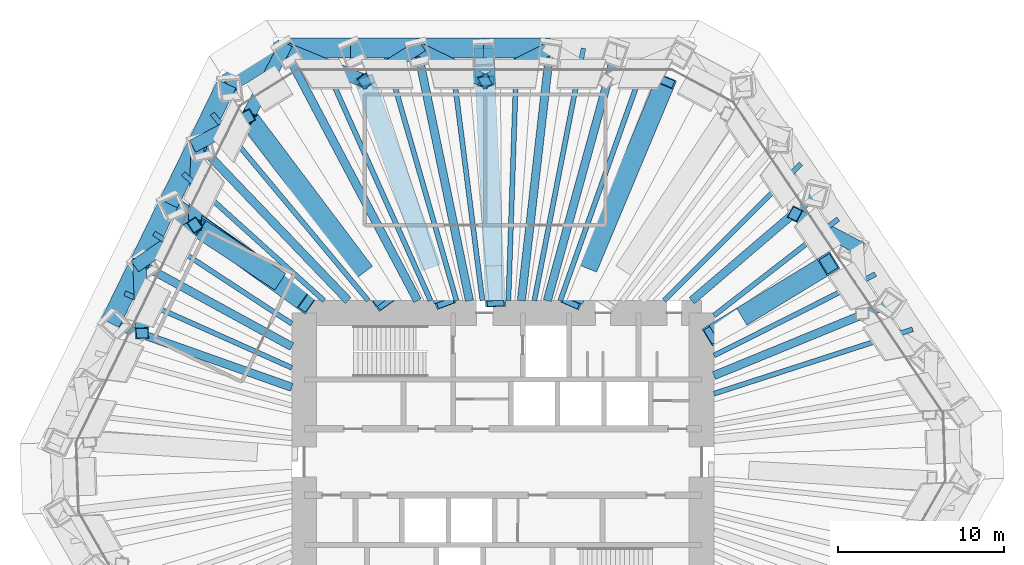
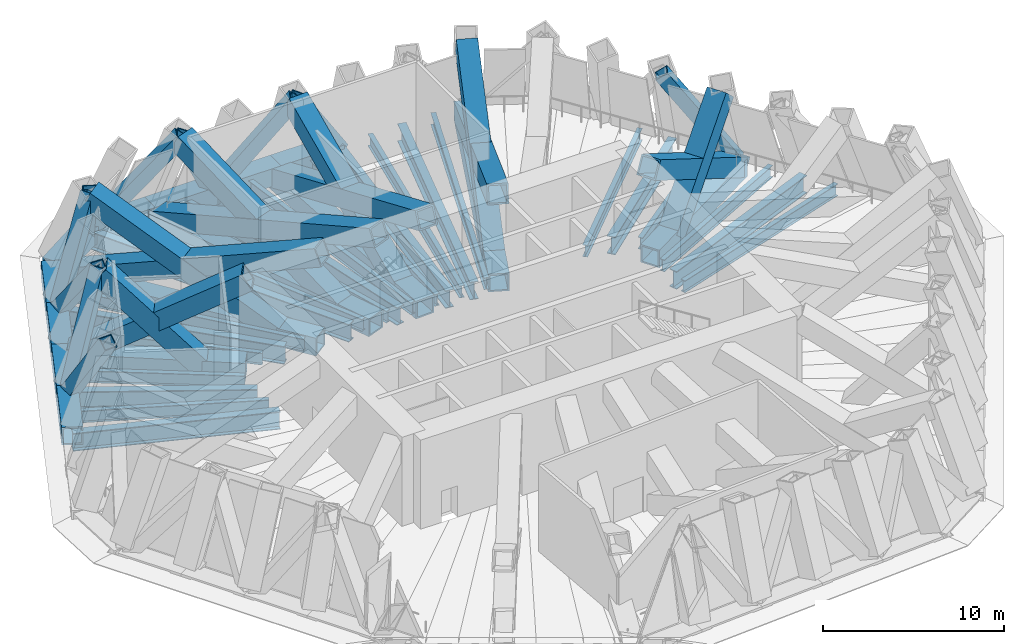
# One storey, part 4 of 12: 31 members, 29 beams.
"""IFC4 building model written with IfcOpenShell, lengths in metres."""

from ifc_helpers import new_model, si_unit, direction, frame, origin, origin_2d, place, context, subcontext, project, spatial, hollow_rectangle, i_section, extrude, material, material_profile, profile_set, type_object, element, save


model = new_model("IFC4")

# Units and contexts
model_context = context("Model", 3, precision=1e-05, world=origin(), true_north=direction((0.0, 1.0)))
body_context = subcontext(model_context, "Body", "Model", "MODEL_VIEW")
ifc_project = project(units=[si_unit("LENGTHUNIT", "METRE"), si_unit("AREAUNIT", "SQUARE_METRE"), si_unit("VOLUMEUNIT", "CUBIC_METRE"), si_unit("PLANEANGLEUNIT", "RADIAN"), si_unit("MASSUNIT", "GRAM", prefix="KILO")], contexts=[model_context])

# Site, building, storey
site_placement = place(None, origin())
site = spatial("IfcSite", under=ifc_project, at=site_placement, CompositionType="ELEMENT")
building_placement = place(site_placement, origin())
building = spatial("IfcBuilding", under=site, at=building_placement, Name="Qingtian Harvest Tower", CompositionType="ELEMENT")
storey_placement = place(building_placement, frame((0.0, 0.0, 174.39990234375)))
storey = spatial("IfcBuildingStorey", under=building, at=storey_placement, Name="L37", CompositionType="ELEMENT", Elevation=174.39990234375)

# Members
ifc_material_1 = material(Name="Steel SM570MC", Category="steel")
ifc_material_profile_1 = material_profile(ifc_material_1, hollow_rectangle(XDim=1.199951171875, YDim=1.199951171875, WallThickness=0.10009765625, at=origin_2d()), Name="BOX1200x1200x100")
ifc_profile_set_1 = profile_set([ifc_material_profile_1], Name="Steel SM570MC")
member_type_1 = type_object("IfcMemberType", Name="Belt truss chord BC2 BOX1200x1200x100", PredefinedType="CHORD", material=ifc_profile_set_1)
for number, where, z_axis, x_axis, name in (
    (1, (-13.2216796875, 25.0, -0.599853515625), (1.0, 0.0, 0.0), (0.0, 1.0, 0.0), "Belt chord BC2 N0"),
    (2, (-9.20263671875, 25.0, -0.599853515625), (1.0, 0.0, 0.0), (0.0, 1.0, 0.0), "Belt chord BC2 N1"),
    (3, (-5.18359375, 25.0, -0.599853515625), (1.0, 0.0, 0.0), (0.0, 1.0, 0.0), "Belt chord BC2 N2"),
    (4, (-1.16455078125, 25.0, -0.599853515625), (1.0, 0.0, 0.0), (0.0, 1.0, 0.0), "Belt chord BC2 N3"),
    (5, (-23.72119140625, 8.3935546875, -0.599853515625), (0.438347033158, 0.898805806902, 0.0), (-0.898805806902, 0.438347033158, 0.0), "Belt chord BC2 NW2"),
    (6, (-21.95947265625, 12.005859375, -0.599853515625), (0.438396105405, 0.89878187274, 0.0), (-0.89878187274, 0.438396105405, 0.0), "Belt chord BC2 NW3"),
    (7, (-20.197509765625, 15.6181640625, -0.599853515625), (0.438347033158, 0.898805806902, 0.0), (-0.898805806902, 0.438347033158, 0.0), "Belt chord BC2 NW4"),
    (8, (-18.435791015625, 19.23046875, -0.599853515625), (0.438396105405, 0.89878187274, 0.0), (-0.89878187274, 0.438396105405, 0.0), "Belt chord BC2 NW5"),
):
    element("IfcMember", number, at=place(storey_placement, frame(where, z_axis=z_axis, x_axis=x_axis)), inside=storey, type_object=member_type_1, Name=name, PredefinedType="CHORD", context=body_context, shape_type="SweptSolid", body=[
        extrude(hollow_rectangle(XDim=1.199951171875, YDim=1.199951171875, WallThickness=0.10009765625, at=origin_2d()), origin(), (0.0, 0.0, 1.0), 4.01904296875),
    ])
member_1_placement = place(storey_placement, frame((-16.673828125, 22.8427734375, -0.599853515625), z_axis=(0.848038733752, 0.529934246919, 0.0), x_axis=(-0.529934246919, 0.848038733752, 0.0)))
element("IfcMember", 9, at=member_1_placement, inside=storey, type_object=member_type_1, Name="Belt chord BC2 NWC", PredefinedType="CHORD", context=body_context, shape_type="SweptSolid", body=[
    extrude(hollow_rectangle(XDim=1.199951171875, YDim=1.199951171875, WallThickness=0.10009765625, at=origin_2d()), origin(), (0.0, 0.0, 1.0), 4.07080078125),
])
ifc_material_2 = material(Name="Steel SM570MC", Category="steel")
ifc_material_profile_2 = material_profile(ifc_material_2, hollow_rectangle(XDim=0.800048828125, YDim=0.800048828125, WallThickness=0.050048828125, at=origin_2d()), Name="BOX800x800x50")
ifc_profile_set_2 = profile_set([ifc_material_profile_2], Name="Steel SM570MC")
member_type_2 = type_object("IfcMemberType", Name="Belt truss diagonal BD2 BOX800x800x50", PredefinedType="BRACE", material=ifc_profile_set_2)
member_2_placement = place(storey_placement, frame((-13.2216796875, 25.0, -0.599853515625), z_axis=(0.611145329769, -0.250300097064, 0.750900291191), x_axis=(0.379003918922, 0.925395066683, 0.0)))
element("IfcMember", 10, at=member_2_placement, inside=storey, type_object=member_type_2, Name="Belt truss diagonal BD2 L37 N0", PredefinedType="BRACE", context=body_context, shape_type="SweptSolid", body=[
    extrude(hollow_rectangle(XDim=0.800048828125, YDim=0.800048828125, WallThickness=0.050048828125, at=origin_2d()), origin(), (0.0, 0.0, 1.0), 7.990478515625),
])
member_3_placement = place(storey_placement, frame((-8.33837890625, 23.0, 5.400146484375), z_axis=(0.446365312916, 0.282976678796, -0.848930036389), x_axis=(-0.535428326995, 0.84458066912, 0.0)))
element("IfcMember", 11, at=member_3_placement, inside=storey, type_object=member_type_2, Name="Belt truss diagonal BD2 L37 N1", PredefinedType="BRACE", context=body_context, shape_type="SweptSolid", body=[
    extrude(hollow_rectangle(XDim=0.800048828125, YDim=0.800048828125, WallThickness=0.050048828125, at=origin_2d()), origin(), (0.0, 0.0, 1.0), 7.067626953125),
])
member_4_placement = place(storey_placement, frame((-5.18359375, 25.0, -0.599853515625), z_axis=(0.545113560916, -0.265113410771, 0.795340232313), x_axis=(0.437363037484, 0.899285034593, 0.0)))
element("IfcMember", 12, at=member_4_placement, inside=storey, type_object=member_type_2, Name="Belt truss diagonal BD2 L37 N2", PredefinedType="BRACE", context=body_context, shape_type="SweptSolid", body=[
    extrude(hollow_rectangle(XDim=0.800048828125, YDim=0.800048828125, WallThickness=0.050048828125, at=origin_2d()), origin(), (0.0, 0.0, 1.0), 7.5439453125),
])
member_5_placement = place(storey_placement, frame((-1.0712890625, 23.0, 5.400146484375), z_axis=(0.527381790516, 0.268676096263, -0.806028288789), x_axis=(-0.453939062823, 0.891032730736, 0.0)))
element("IfcMember", 13, at=member_5_placement, inside=storey, type_object=member_type_2, Name="Belt truss diagonal BD2 L37 N3", PredefinedType="BRACE", context=body_context, shape_type="SweptSolid", body=[
    extrude(hollow_rectangle(XDim=0.800048828125, YDim=0.800048828125, WallThickness=0.050048828125, at=origin_2d()), origin(), (0.0, 0.0, 1.0), 7.44384765625),
])
member_6_placement = place(storey_placement, frame((17.635009765625, 14.985595703125, 5.400146484375), z_axis=(0.509768755604, -0.268519893838, -0.817332785604), x_axis=(0.466046159023, 0.884760406924, 0.0)))
element("IfcMember", 14, at=member_6_placement, inside=storey, type_object=member_type_2, Name="Belt truss diagonal BD2 L37 NE2", PredefinedType="BRACE", context=body_context, shape_type="SweptSolid", body=[
    extrude(hollow_rectangle(XDim=0.800048828125, YDim=0.800048828125, WallThickness=0.050048828125, at=origin_2d()), origin(), (0.0, 0.0, 1.0), 7.341064453125),
])
member_7_placement = place(storey_placement, frame((-21.79541015625, 7.779541015625, 5.400146484375), z_axis=(-0.022349125724, 0.575722790777, -0.817339455036), x_axis=(-0.999247383498, -0.038790031871, 0.0)))
element("IfcMember", 15, at=member_7_placement, inside=storey, type_object=member_type_2, Name="Belt truss diagonal BD2 L37 NW2", PredefinedType="BRACE", context=body_context, shape_type="SweptSolid", body=[
    extrude(hollow_rectangle(XDim=0.800048828125, YDim=0.800048828125, WallThickness=0.050048828125, at=origin_2d()), origin(), (0.0, 0.0, 1.0), 7.3408203125),
])
member_8_placement = place(storey_placement, frame((-21.95947265625, 12.005859375, -0.599853515625), z_axis=(0.462136679951, 0.318072643497, 0.827804012133), x_axis=(-0.566956829377, 0.823747505989, 0.0)))
element("IfcMember", 16, at=member_8_placement, inside=storey, type_object=member_type_2, Name="Belt truss diagonal BD2 L37 NW3", PredefinedType="BRACE", context=body_context, shape_type="SweptSolid", body=[
    extrude(hollow_rectangle(XDim=0.800048828125, YDim=0.800048828125, WallThickness=0.050048828125, at=origin_2d()), origin(), (0.0, 0.0, 1.0), 7.248046875),
])
member_9_placement = place(storey_placement, frame((-18.60986328125, 14.311279296875, 5.400146484375), z_axis=(0.02242992097, 0.633857612391, -0.773124456902), x_axis=(-0.999374489739, 0.035364236994, 0.0)))
element("IfcMember", 17, at=member_9_placement, inside=storey, type_object=member_type_2, Name="Belt truss diagonal BD2 L37 NW4", PredefinedType="BRACE", context=body_context, shape_type="SweptSolid", body=[
    extrude(hollow_rectangle(XDim=0.800048828125, YDim=0.800048828125, WallThickness=0.050048828125, at=origin_2d()), origin(), (0.0, 0.0, 1.0), 7.7607421875),
])
member_10_placement = place(storey_placement, frame((-18.435791015625, 19.23046875, -0.599853515625), z_axis=(0.436206311407, 0.233520304842, 0.869018021168), x_axis=(-0.471967540167, 0.881615926029, 0.0)))
element("IfcMember", 18, at=member_10_placement, inside=storey, type_object=member_type_2, Name="Belt truss diagonal BD2 L37 NW5", PredefinedType="BRACE", context=body_context, shape_type="SweptSolid", body=[
    extrude(hollow_rectangle(XDim=0.800048828125, YDim=0.800048828125, WallThickness=0.050048828125, at=origin_2d()), origin(), (0.0, 0.0, 1.0), 6.904296875),
])
member_11_placement = place(storey_placement, frame((-15.424072265625, 20.8427734375, 5.400146484375), z_axis=(0.288857149608, 0.545245487587, -0.786936404918), x_axis=(-0.88365534016, 0.468138056353, 0.0)))
element("IfcMember", 19, at=member_11_placement, inside=storey, type_object=member_type_2, Name="Belt truss diagonal BD2 L37 NW6", PredefinedType="BRACE", context=body_context, shape_type="SweptSolid", body=[
    extrude(hollow_rectangle(XDim=0.800048828125, YDim=0.800048828125, WallThickness=0.050048828125, at=origin_2d()), origin(), (0.0, 0.0, 1.0), 7.62451171875),
])

# Beams
ifc_material_3 = material(Name="Steel SN490B", Category="steel")
ifc_material_profile_3 = material_profile(ifc_material_3, i_section(OverallWidth=0.300048828125, OverallDepth=0.800048828125, WebThickness=0.013916015625, FlangeThickness=0.02587890625, at=origin_2d()), Name="H800x300x14x26")
ifc_profile_set_3 = profile_set([ifc_material_profile_3], Name="Steel SN490B")
beam_type_1 = type_object("IfcBeamType", Name="Floor joist J1 H800x300x14x26", PredefinedType="JOIST", material=ifc_profile_set_3)
beam_1_placement = place(storey_placement, frame((-11.212158203125, 25.0, -0.679931640625), z_axis=(0.409212761683, -0.912438992852, 0.0), x_axis=(0.912438992852, 0.409212761683, 0.0)))
element("IfcBeam", 20, at=beam_1_placement, inside=storey, type_object=beam_type_1, Name="Floor joist J1 N0", PredefinedType="JOIST", context=body_context, shape_type="SweptSolid", body=[
    extrude(i_section(OverallWidth=0.300048828125, OverallDepth=0.800048828125, WebThickness=0.013916015625, FlangeThickness=0.02587890625, at=origin_2d()), origin(), (0.0, 0.0, 1.0), 16.71337890625),
])
beam_2_placement = place(storey_placement, frame((-7.193115234375, 25.0, -0.679931640625), z_axis=(0.276500682027, -0.961013721462, 0.0), x_axis=(0.961013721462, 0.276500682027, 0.0)))
element("IfcBeam", 21, at=beam_2_placement, inside=storey, type_object=beam_type_1, Name="Floor joist J1 N1", PredefinedType="JOIST", context=body_context, shape_type="SweptSolid", body=[
    extrude(i_section(OverallWidth=0.300048828125, OverallDepth=0.800048828125, WebThickness=0.013916015625, FlangeThickness=0.02587890625, at=origin_2d()), origin(), (0.0, 0.0, 1.0), 15.86865234375),
])
beam_3_placement = place(storey_placement, frame((-3.174072265625, 25.0, -0.679931640625), z_axis=(0.125957899702, -0.992035587821, 0.0), x_axis=(0.992035587821, 0.125957899702, 0.0)))
element("IfcBeam", 22, at=beam_3_placement, inside=storey, type_object=beam_type_1, Name="Floor joist J1 N2", PredefinedType="JOIST", context=body_context, shape_type="SweptSolid", body=[
    extrude(i_section(OverallWidth=0.300048828125, OverallDepth=0.800048828125, WebThickness=0.013916015625, FlangeThickness=0.02587890625, at=origin_2d()), origin(), (0.0, 0.0, 1.0), 15.372314453125),
])
beam_4_placement = place(storey_placement, frame((0.844970703125, 25.0, -0.679931640625), z_axis=(-0.033776183237, -0.999429421943, 0.0), x_axis=(0.999429421943, -0.033776183237, 0.0)))
element("IfcBeam", 23, at=beam_4_placement, inside=storey, type_object=beam_type_1, Name="Floor joist J1 N3", PredefinedType="JOIST", context=body_context, shape_type="SweptSolid", body=[
    extrude(i_section(OverallWidth=0.300048828125, OverallDepth=0.800048828125, WebThickness=0.013916015625, FlangeThickness=0.02587890625, at=origin_2d()), origin(), (0.0, 0.0, 1.0), 15.2587890625),
])
beam_5_placement = place(storey_placement, frame((4.864013671875, 25.0, -0.679931640625), z_axis=(-0.190979017217, -0.981594119269, 0.0), x_axis=(0.981594119269, -0.190979017217, 0.0)))
element("IfcBeam", 24, at=beam_5_placement, inside=storey, type_object=beam_type_1, Name="Floor joist J1 N4", PredefinedType="JOIST", context=body_context, shape_type="SweptSolid", body=[
    extrude(i_section(OverallWidth=0.300048828125, OverallDepth=0.800048828125, WebThickness=0.013916015625, FlangeThickness=0.02587890625, at=origin_2d()), origin(), (0.0, 0.0, 1.0), 15.535888671875),
])
beam_6_placement = place(storey_placement, frame((8.88330078125, 25.0, -0.679931640625), z_axis=(-0.334829909573, -0.94227858495, 0.0), x_axis=(0.94227858495, -0.334829909573, 0.0)))
element("IfcBeam", 25, at=beam_6_placement, inside=storey, type_object=beam_type_1, Name="Floor joist J1 N5", PredefinedType="JOIST", context=body_context, shape_type="SweptSolid", body=[
    extrude(i_section(OverallWidth=0.300048828125, OverallDepth=0.800048828125, WebThickness=0.013916015625, FlangeThickness=0.02587890625, at=origin_2d()), origin(), (0.0, 0.0, 1.0), 16.18408203125),
])
beam_7_placement = place(storey_placement, frame((18.005859375, 18.012451171875, -0.679931640625), z_axis=(-0.706970932755, -0.707242603524, 0.0), x_axis=(0.707242603524, -0.706970932755, 0.0)))
element("IfcBeam", 26, at=beam_7_placement, inside=storey, type_object=beam_type_1, Name="Floor joist J1 NE1", PredefinedType="JOIST", context=body_context, shape_type="SweptSolid", body=[
    extrude(i_section(OverallWidth=0.300048828125, OverallDepth=0.800048828125, WebThickness=0.013916015625, FlangeThickness=0.02587890625, at=origin_2d()), origin(), (0.0, 0.0, 1.0), 11.6826171875),
])
beam_8_placement = place(storey_placement, frame((20.25341796875, 14.680419921875, -0.679931640625), z_axis=(-0.789641272199, -0.61356879096, 0.0), x_axis=(0.61356879096, -0.789641272199, 0.0)))
element("IfcBeam", 27, at=beam_8_placement, inside=storey, type_object=beam_type_1, Name="Floor joist J1 NE2", PredefinedType="JOIST", context=body_context, shape_type="SweptSolid", body=[
    extrude(i_section(OverallWidth=0.300048828125, OverallDepth=0.800048828125, WebThickness=0.013916015625, FlangeThickness=0.02587890625, at=origin_2d()), origin(), (0.0, 0.0, 1.0), 9.502197265625),
])
beam_9_placement = place(storey_placement, frame((22.500732421875, 11.348388671875, -0.679931640625), z_axis=(-0.892861323685, -0.450331718478, 0.0), x_axis=(0.450331718478, -0.892861323685, 0.0)))
element("IfcBeam", 28, at=beam_9_placement, inside=storey, type_object=beam_type_1, Name="Floor joist J1 NE3", PredefinedType="JOIST", context=body_context, shape_type="SweptSolid", body=[
    extrude(i_section(OverallWidth=0.300048828125, OverallDepth=0.800048828125, WebThickness=0.013916015625, FlangeThickness=0.02587890625, at=origin_2d()), origin(), (0.0, 0.0, 1.0), 10.920654296875),
])
beam_10_placement = place(storey_placement, frame((24.748291015625, 8.016357421875, -0.679931640625), z_axis=(-0.951335907519, -0.308155790249, 0.0), x_axis=(0.308155790249, -0.951335907519, 0.0)))
element("IfcBeam", 29, at=beam_10_placement, inside=storey, type_object=beam_type_1, Name="Floor joist J1 NE4", PredefinedType="JOIST", context=body_context, shape_type="SweptSolid", body=[
    extrude(i_section(OverallWidth=0.300048828125, OverallDepth=0.800048828125, WebThickness=0.013916015625, FlangeThickness=0.02587890625, at=origin_2d()), origin(), (0.0, 0.0, 1.0), 12.612060546875),
])
beam_11_placement = place(storey_placement, frame((-22.84033203125, 10.19970703125, -0.679931640625), z_axis=(0.913095877166, -0.407744919162, 0.0), x_axis=(0.407744919162, 0.913095877166, 0.0)))
element("IfcBeam", 30, at=beam_11_placement, inside=storey, type_object=beam_type_1, Name="Floor joist J1 NW2", PredefinedType="JOIST", context=body_context, shape_type="SweptSolid", body=[
    extrude(i_section(OverallWidth=0.300048828125, OverallDepth=0.800048828125, WebThickness=0.013916015625, FlangeThickness=0.02587890625, at=origin_2d()), origin(), (0.0, 0.0, 1.0), 11.05078125),
])
beam_12_placement = place(storey_placement, frame((-21.078369140625, 13.81201171875, -0.679931640625), z_axis=(0.836426246046, -0.548079496903, 0.0), x_axis=(0.548079496903, 0.836426246046, 0.0)))
element("IfcBeam", 31, at=beam_12_placement, inside=storey, type_object=beam_type_1, Name="Floor joist J1 NW3", PredefinedType="JOIST", context=body_context, shape_type="SweptSolid", body=[
    extrude(i_section(OverallWidth=0.300048828125, OverallDepth=0.800048828125, WebThickness=0.013916015625, FlangeThickness=0.02587890625, at=origin_2d()), origin(), (0.0, 0.0, 1.0), 9.95703125),
])
beam_13_placement = place(storey_placement, frame((-19.316650390625, 17.42431640625, -0.679931640625), z_axis=(0.742543540775, -0.669797797886, 0.0), x_axis=(0.669797797886, 0.742543540775, 0.0)))
element("IfcBeam", 32, at=beam_13_placement, inside=storey, type_object=beam_type_1, Name="Floor joist J1 NW4", PredefinedType="JOIST", context=body_context, shape_type="SweptSolid", body=[
    extrude(i_section(OverallWidth=0.300048828125, OverallDepth=0.800048828125, WebThickness=0.013916015625, FlangeThickness=0.02587890625, at=origin_2d()), origin(), (0.0, 0.0, 1.0), 11.457763671875),
])
beam_14_placement = place(storey_placement, frame((-17.5546875, 21.03662109375, -0.679931640625), z_axis=(0.640703730007, -0.767788206704, 0.0), x_axis=(0.767788206704, 0.640703730007, 0.0)))
element("IfcBeam", 33, at=beam_14_placement, inside=storey, type_object=beam_type_1, Name="Floor joist J1 NW5", PredefinedType="JOIST", context=body_context, shape_type="SweptSolid", body=[
    extrude(i_section(OverallWidth=0.300048828125, OverallDepth=0.800048828125, WebThickness=0.013916015625, FlangeThickness=0.02587890625, at=origin_2d()), origin(), (0.0, 0.0, 1.0), 14.7001953125),
])
ifc_material_4 = material(Name="Steel SM570MC", Category="steel")
ifc_material_profile_4 = material_profile(ifc_material_4, hollow_rectangle(XDim=1.199951171875, YDim=1.199951171875, WallThickness=0.10009765625, at=origin_2d()), Name="BOX1200x1200x100")
ifc_profile_set_4 = profile_set([ifc_material_profile_4], Name="Steel SM570MC")
beam_type_2 = type_object("IfcBeamType", Name="Outrigger chord beam OC2 BOX1200x1200x100", PredefinedType="BEAM", material=ifc_profile_set_4)
beam_15_placement = place(storey_placement, frame((-9.20263671875, 25.0, -0.8798828125), z_axis=(0.345440084985, -0.938440806703, 0.0), x_axis=(0.938440806703, 0.345440084985, 0.0)))
element("IfcBeam", 34, at=beam_15_placement, inside=storey, type_object=beam_type_2, Name="Floor beam OC2 N1", PredefinedType="BEAM", context=body_context, shape_type="SweptSolid", body=[
    extrude(hollow_rectangle(XDim=1.199951171875, YDim=1.199951171875, WallThickness=0.10009765625, at=origin_2d()), origin(), (0.0, 0.0, 1.0), 16.250244140625),
])
beam_16_placement = place(storey_placement, frame((-1.16455078125, 25.0, -0.8798828125), z_axis=(0.046536361684, -0.998916596639, 0.0), x_axis=(0.998916596639, 0.046536361684, 0.0)))
element("IfcBeam", 35, at=beam_16_placement, inside=storey, type_object=beam_type_2, Name="Floor beam OC2 N3", PredefinedType="BEAM", context=body_context, shape_type="SweptSolid", body=[
    extrude(hollow_rectangle(XDim=1.199951171875, YDim=1.199951171875, WallThickness=0.10009765625, at=origin_2d()), origin(), (0.0, 0.0, 1.0), 15.2666015625),
])
beam_17_placement = place(storey_placement, frame((10.892822265625, 25.0, -0.8798828125), z_axis=(-0.399451016538, -0.916754539333, 0.0), x_axis=(0.916754539333, -0.399451016538, 0.0)))
element("IfcBeam", 36, at=beam_17_placement, inside=storey, type_object=beam_type_2, Name="Floor beam OC2 N6", PredefinedType="BEAM", context=body_context, shape_type="SweptSolid", body=[
    extrude(hollow_rectangle(XDim=1.199951171875, YDim=1.199951171875, WallThickness=0.10009765625, at=origin_2d()), origin(), (0.0, 0.0, 1.0), 16.634765625),
])
beam_18_placement = place(storey_placement, frame((21.377197265625, 13.014404296875, -0.8798828125), z_axis=(-0.854160745245, -0.520009058846, 0.0), x_axis=(0.520009058846, -0.854160745245, 0.0)))
element("IfcBeam", 37, at=beam_18_placement, inside=storey, type_object=beam_type_2, Name="Floor beam OC2 NE3", PredefinedType="BEAM", context=body_context, shape_type="SweptSolid", body=[
    extrude(hollow_rectangle(XDim=1.199951171875, YDim=1.199951171875, WallThickness=0.10009765625, at=origin_2d()), origin(), (0.0, 0.0, 1.0), 10.10009765625),
])
beam_19_placement = place(storey_placement, frame((-20.197509765625, 15.6181640625, -0.8798828125), z_axis=(0.818080343043, -0.57510394915, 0.0), x_axis=(0.57510394915, 0.818080343043, 0.0)))
element("IfcBeam", 38, at=beam_19_placement, inside=storey, type_object=beam_type_2, Name="Floor beam OC2 NW4", PredefinedType="BEAM", context=body_context, shape_type="SweptSolid", body=[
    extrude(hollow_rectangle(XDim=1.199951171875, YDim=1.199951171875, WallThickness=0.10009765625, at=origin_2d()), origin(), (0.0, 0.0, 1.0), 10.20361328125),
])
beam_20_placement = place(storey_placement, frame((-16.673828125, 22.8427734375, -0.8798828125), z_axis=(0.589577703364, -0.807711663712, 0.0), x_axis=(0.807711663712, 0.589577703364, 0.0)))
element("IfcBeam", 39, at=beam_20_placement, inside=storey, type_object=beam_type_2, Name="Floor beam OC2 NW6", PredefinedType="BEAM", context=body_context, shape_type="SweptSolid", body=[
    extrude(hollow_rectangle(XDim=1.199951171875, YDim=1.199951171875, WallThickness=0.10009765625, at=origin_2d()), origin(), (0.0, 0.0, 1.0), 16.209716796875),
])

# Members
ifc_material_5 = material(Name="Steel SM570MC", Category="steel")
ifc_material_profile_5 = material_profile(ifc_material_5, hollow_rectangle(XDim=1.199951171875, YDim=1.199951171875, WallThickness=0.10009765625, at=origin_2d()), Name="BOX1200x1200x100")
ifc_profile_set_5 = profile_set([ifc_material_profile_5], Name="Steel SM570MC")
member_type_3 = type_object("IfcMemberType", Name="Outrigger diagonal OT2 BOX1200x1200x100", PredefinedType="BRACE", material=ifc_profile_set_5)
member_12_placement = place(storey_placement, frame((10.892822265625, 25.0, -0.8798828125), z_axis=(-0.379224071888, -0.860085430984, 0.341236215413), x_axis=(0.915006327827, -0.403439487453, 0.0)))
element("IfcMember", 40, at=member_12_placement, inside=storey, type_object=member_type_3, Name="Outrigger diagonal OT2 L37 N6-1", PredefinedType="BRACE", context=body_context, shape_type="SweptSolid", body=[
    extrude(hollow_rectangle(XDim=1.199951171875, YDim=1.199951171875, WallThickness=0.10009765625, at=origin_2d()), origin(), (0.0, 0.0, 1.0), 17.905029296875),
])
member_13_placement = place(storey_placement, frame((5.206787109375, 11.9501953125, -0.8798828125), z_axis=(0.343785236289, 0.821787250154, 0.454397872787), x_axis=(-0.922528424292, 0.38592914683, 0.0)))
element("IfcMember", 41, at=member_13_placement, inside=storey, type_object=member_type_3, Name="Outrigger diagonal OT2 L37 N6-2", PredefinedType="BRACE", context=body_context, shape_type="SweptSolid", body=[
    extrude(hollow_rectangle(XDim=1.199951171875, YDim=1.199951171875, WallThickness=0.10009765625, at=origin_2d()), origin(), (0.0, 0.0, 1.0), 13.446044921875),
])
member_14_placement = place(storey_placement, frame((-9.20263671875, 25.0, -0.8798828125), z_axis=(0.326458775878, -0.878588901137, 0.348577409554), x_axis=(0.937381471452, 0.348304431464, 0.0)))
element("IfcMember", 42, at=member_14_placement, inside=storey, type_object=member_type_3, Name="Outrigger diagonal OT2 L37 N1-1", PredefinedType="BRACE", context=body_context, shape_type="SweptSolid", body=[
    extrude(hollow_rectangle(XDim=1.199951171875, YDim=1.199951171875, WallThickness=0.10009765625, at=origin_2d()), origin(), (0.0, 0.0, 1.0), 17.528076171875),
])
member_15_placement = place(storey_placement, frame((-4.418212890625, 12.002197265625, -0.8798828125), z_axis=(-0.297486540196, 0.83458156419, 0.463654366005), x_axis=(-0.941948471749, -0.335757466887, 0.0)))
element("IfcMember", 43, at=member_15_placement, inside=storey, type_object=member_type_3, Name="Outrigger diagonal OT2 L37 N1-2", PredefinedType="BRACE", context=body_context, shape_type="SweptSolid", body=[
    extrude(hollow_rectangle(XDim=1.199951171875, YDim=1.199951171875, WallThickness=0.10009765625, at=origin_2d()), origin(), (0.0, 0.0, 1.0), 13.177734375),
])
member_16_placement = place(storey_placement, frame((-1.16455078125, 25.0, -0.8798828125), z_axis=(0.043253771425, -0.928645811424, 0.368437332774), x_axis=(0.998917041468, 0.046526812325, 0.0)))
element("IfcMember", 44, at=member_16_placement, inside=storey, type_object=member_type_3, Name="Outrigger diagonal OT2 L37 N3-1", PredefinedType="BRACE", context=body_context, shape_type="SweptSolid", body=[
    extrude(hollow_rectangle(XDim=1.199951171875, YDim=1.199951171875, WallThickness=0.10009765625, at=origin_2d()), origin(), (0.0, 0.0, 1.0), 16.583251953125),
])
member_17_placement = place(storey_placement, frame((-0.56591796875, 12.1474609375, -0.8798828125), z_axis=(-0.040544877485, 0.870676760361, 0.49018169272), x_axis=(-0.998917513568, -0.04651667536, 0.0)))
element("IfcMember", 45, at=member_17_placement, inside=storey, type_object=member_type_3, Name="Outrigger diagonal OT2 L37 N3-2", PredefinedType="BRACE", context=body_context, shape_type="SweptSolid", body=[
    extrude(hollow_rectangle(XDim=1.199951171875, YDim=1.199951171875, WallThickness=0.10009765625, at=origin_2d()), origin(), (0.0, 0.0, 1.0), 12.464599609375),
])
member_18_placement = place(storey_placement, frame((21.377197265625, 13.014404296875, -0.8798828125), z_axis=(-0.734180866415, -0.446969948631, 0.511073693719), x_axis=(0.520012520114, -0.854158638032, 0.0)))
element("IfcMember", 46, at=member_18_placement, inside=storey, type_object=member_type_3, Name="Outrigger diagonal OT2 L37 NE3-1", PredefinedType="BRACE", context=body_context, shape_type="SweptSolid", body=[
    extrude(hollow_rectangle(XDim=1.199951171875, YDim=1.199951171875, WallThickness=0.10009765625, at=origin_2d()), origin(), (0.0, 0.0, 1.0), 11.954833984375),
])
member_19_placement = place(storey_placement, frame((14.800048828125, 9.01025390625, -0.8798828125), z_axis=(0.582559286316, 0.354649586091, 0.731333268088), x_axis=(-0.519998599478, 0.854167112772, 0.0)))
element("IfcMember", 47, at=member_19_placement, inside=storey, type_object=member_type_3, Name="Outrigger diagonal OT2 L37 NE3-2", PredefinedType="BRACE", context=body_context, shape_type="SweptSolid", body=[
    extrude(hollow_rectangle(XDim=1.199951171875, YDim=1.199951171875, WallThickness=0.10009765625, at=origin_2d()), origin(), (0.0, 0.0, 1.0), 8.3544921875),
])
member_20_placement = place(storey_placement, frame((-20.197509765625, 15.6181640625, -0.8798828125), z_axis=(0.697492669492, -0.502857310491, 0.510527669466), x_axis=(0.584812103659, 0.811168788486, 0.0)))
element("IfcMember", 48, at=member_20_placement, inside=storey, type_object=member_type_3, Name="Outrigger diagonal OT2 L37 NW4-1", PredefinedType="BRACE", context=body_context, shape_type="SweptSolid", body=[
    extrude(hollow_rectangle(XDim=1.199951171875, YDim=1.199951171875, WallThickness=0.10009765625, at=origin_2d()), origin(), (0.0, 0.0, 1.0), 11.9677734375),
])
member_21_placement = place(storey_placement, frame((-13.8134765625, 11.13037109375, -0.8798828125), z_axis=(-0.571428075244, 0.37896449111, 0.727911992826), x_axis=(-0.552691784709, -0.833385739688, 0.0)))
element("IfcMember", 49, at=member_21_placement, inside=storey, type_object=member_type_3, Name="Outrigger diagonal OT2 L37 NW4-2", PredefinedType="BRACE", context=body_context, shape_type="SweptSolid", body=[
    extrude(hollow_rectangle(XDim=1.199951171875, YDim=1.199951171875, WallThickness=0.10009765625, at=origin_2d()), origin(), (0.0, 0.0, 1.0), 8.393798828125),
])
member_22_placement = place(storey_placement, frame((-16.673828125, 22.8427734375, -0.8798828125), z_axis=(0.548604299971, -0.759175305229, 0.350265867569), x_axis=(0.810521588465, 0.585708762639, 0.0)))
element("IfcMember", 50, at=member_22_placement, inside=storey, type_object=member_type_3, Name="Outrigger diagonal OT2 L37 NW6-1", PredefinedType="BRACE", context=body_context, shape_type="SweptSolid", body=[
    extrude(hollow_rectangle(XDim=1.199951171875, YDim=1.199951171875, WallThickness=0.10009765625, at=origin_2d()), origin(), (0.0, 0.0, 1.0), 17.443603515625),
])
member_23_placement = place(storey_placement, frame((-8.53173828125, 11.6884765625, -0.8798828125), z_axis=(-0.530751662477, 0.704936571012, 0.470496656341), x_axis=(-0.79888389761, -0.601485260119, 0.0)))
element("IfcMember", 51, at=member_23_placement, inside=storey, type_object=member_type_3, Name="Outrigger diagonal OT2 L37 NW6-2", PredefinedType="BRACE", context=body_context, shape_type="SweptSolid", body=[
    extrude(hollow_rectangle(XDim=1.199951171875, YDim=1.199951171875, WallThickness=0.10009765625, at=origin_2d()), origin(), (0.0, 0.0, 1.0), 12.986083984375),
])

# Beams
ifc_material_6 = material(Name="Steel SM570MC", Category="steel")
ifc_material_profile_6 = material_profile(ifc_material_6, i_section(OverallWidth=0.5, OverallDepth=1.199951171875, WebThickness=0.02490234375, FlangeThickness=0.050048828125, at=origin_2d()), Name="H1200x500x25x50")
ifc_profile_set_6 = profile_set([ifc_material_profile_6], Name="Steel SM570MC")
beam_type_3 = type_object("IfcBeamType", Name="Plant corner beam FB10 H1200x500x25x50", PredefinedType="BEAM", material=ifc_profile_set_6)
beam_21_placement = place(storey_placement, frame((-13.2216796875, 25.0, -0.8798828125), z_axis=(0.46750989692, -0.88398783718, 0.0), x_axis=(0.88398783718, 0.46750989692, 0.0)))
element("IfcBeam", 52, at=beam_21_placement, inside=storey, type_object=beam_type_3, Name="Floor beam FB10 N0", PredefinedType="BEAM", context=body_context, shape_type="SweptSolid", body=[
    extrude(i_section(OverallWidth=0.5, OverallDepth=1.199951171875, WebThickness=0.02490234375, FlangeThickness=0.050048828125, at=origin_2d()), origin(), (0.0, 0.0, 1.0), 17.25146484375),
])
ifc_material_7 = material(Name="Steel SM570MC", Category="steel")
ifc_material_profile_7 = material_profile(ifc_material_7, i_section(OverallWidth=0.5, OverallDepth=1.199951171875, WebThickness=0.02490234375, FlangeThickness=0.050048828125, at=origin_2d()), Name="H1200x500x25x50")
ifc_profile_set_7 = profile_set([ifc_material_profile_7], Name="Steel SM570MC")
beam_type_4 = type_object("IfcBeamType", Name="Plant floor beam FB7 H1200x500x25x50", PredefinedType="BEAM", material=ifc_profile_set_7)
beam_22_placement = place(storey_placement, frame((-5.18359375, 25.0, -0.8798828125), z_axis=(0.203032709566, -0.979171955709, 0.0), x_axis=(0.979171955709, 0.203032709566, 0.0)))
element("IfcBeam", 53, at=beam_22_placement, inside=storey, type_object=beam_type_4, Name="Floor beam FB7 N2", PredefinedType="BEAM", context=body_context, shape_type="SweptSolid", body=[
    extrude(i_section(OverallWidth=0.5, OverallDepth=1.199951171875, WebThickness=0.02490234375, FlangeThickness=0.050048828125, at=origin_2d()), origin(), (0.0, 0.0, 1.0), 15.574462890625),
])
beam_23_placement = place(storey_placement, frame((2.8544921875, 25.0, -0.8798828125), z_axis=(-0.113440722222, -0.993544766249, 0.0), x_axis=(0.993544766249, -0.113440722222, 0.0)))
element("IfcBeam", 54, at=beam_23_placement, inside=storey, type_object=beam_type_4, Name="Floor beam FB7 N4", PredefinedType="BEAM", context=body_context, shape_type="SweptSolid", body=[
    extrude(i_section(OverallWidth=0.5, OverallDepth=1.199951171875, WebThickness=0.02490234375, FlangeThickness=0.050048828125, at=origin_2d()), origin(), (0.0, 0.0, 1.0), 15.34912109375),
])
beam_24_placement = place(storey_placement, frame((6.873779296875, 25.0, -0.8798828125), z_axis=(-0.265119170108, -0.964215653078, 0.0), x_axis=(0.964215653078, -0.265119170108, 0.0)))
element("IfcBeam", 55, at=beam_24_placement, inside=storey, type_object=beam_type_4, Name="Floor beam FB7 N5", PredefinedType="BEAM", context=body_context, shape_type="SweptSolid", body=[
    extrude(i_section(OverallWidth=0.5, OverallDepth=1.199951171875, WebThickness=0.02490234375, FlangeThickness=0.050048828125, at=origin_2d()), origin(), (0.0, 0.0, 1.0), 15.81591796875),
])
beam_25_placement = place(storey_placement, frame((19.129638671875, 16.346435546875, -0.8798828125), z_axis=(-0.760241810635, -0.649640199928, 0.0), x_axis=(0.649640199928, -0.760241810635, 0.0)))
element("IfcBeam", 56, at=beam_25_placement, inside=storey, type_object=beam_type_4, Name="Floor beam FB7 NE2", PredefinedType="BEAM", context=body_context, shape_type="SweptSolid", body=[
    extrude(i_section(OverallWidth=0.5, OverallDepth=1.199951171875, WebThickness=0.02490234375, FlangeThickness=0.050048828125, at=origin_2d()), origin(), (0.0, 0.0, 1.0), 10.154052734375),
])
beam_26_placement = place(storey_placement, frame((23.62451171875, 9.682373046875, -0.8798828125), z_axis=(-0.925304541163, -0.379224875375, 0.0), x_axis=(0.379224875375, -0.925304541163, 0.0)))
element("IfcBeam", 57, at=beam_26_placement, inside=storey, type_object=beam_type_4, Name="Floor beam FB7 NE4", PredefinedType="BEAM", context=body_context, shape_type="SweptSolid", body=[
    extrude(i_section(OverallWidth=0.5, OverallDepth=1.199951171875, WebThickness=0.02490234375, FlangeThickness=0.050048828125, at=origin_2d()), origin(), (0.0, 0.0, 1.0), 11.75244140625),
])
beam_27_placement = place(storey_placement, frame((-23.72119140625, 8.3935546875, -0.8798828125), z_axis=(0.942723186419, -0.333576068967, 0.0), x_axis=(0.333576068967, 0.942723186419, 0.0)))
element("IfcBeam", 58, at=beam_27_placement, inside=storey, type_object=beam_type_4, Name="Floor beam FB7 NW2", PredefinedType="BEAM", context=body_context, shape_type="SweptSolid", body=[
    extrude(i_section(OverallWidth=0.5, OverallDepth=1.199951171875, WebThickness=0.02490234375, FlangeThickness=0.050048828125, at=origin_2d()), origin(), (0.0, 0.0, 1.0), 11.6376953125),
])
beam_28_placement = place(storey_placement, frame((-21.95947265625, 12.005859375, -0.8798828125), z_axis=(0.877432026785, -0.479700988505, 0.0), x_axis=(0.479700988505, 0.877432026785, 0.0)))
element("IfcBeam", 59, at=beam_28_placement, inside=storey, type_object=beam_type_4, Name="Floor beam FB7 NW3", PredefinedType="BEAM", context=body_context, shape_type="SweptSolid", body=[
    extrude(i_section(OverallWidth=0.5, OverallDepth=1.199951171875, WebThickness=0.02490234375, FlangeThickness=0.050048828125, at=origin_2d()), origin(), (0.0, 0.0, 1.0), 10.495849609375),
])
beam_29_placement = place(storey_placement, frame((-18.435791015625, 19.23046875, -0.8798828125), z_axis=(0.69204101057, -0.721858185303, 0.0), x_axis=(0.721858185303, 0.69204101057, 0.0)))
element("IfcBeam", 60, at=beam_29_placement, inside=storey, type_object=beam_type_4, Name="Floor beam FB7 NW5", PredefinedType="BEAM", context=body_context, shape_type="SweptSolid", body=[
    extrude(i_section(OverallWidth=0.5, OverallDepth=1.199951171875, WebThickness=0.02490234375, FlangeThickness=0.050048828125, at=origin_2d()), origin(), (0.0, 0.0, 1.0), 13.13330078125),
])

save(model, "model.ifc")
